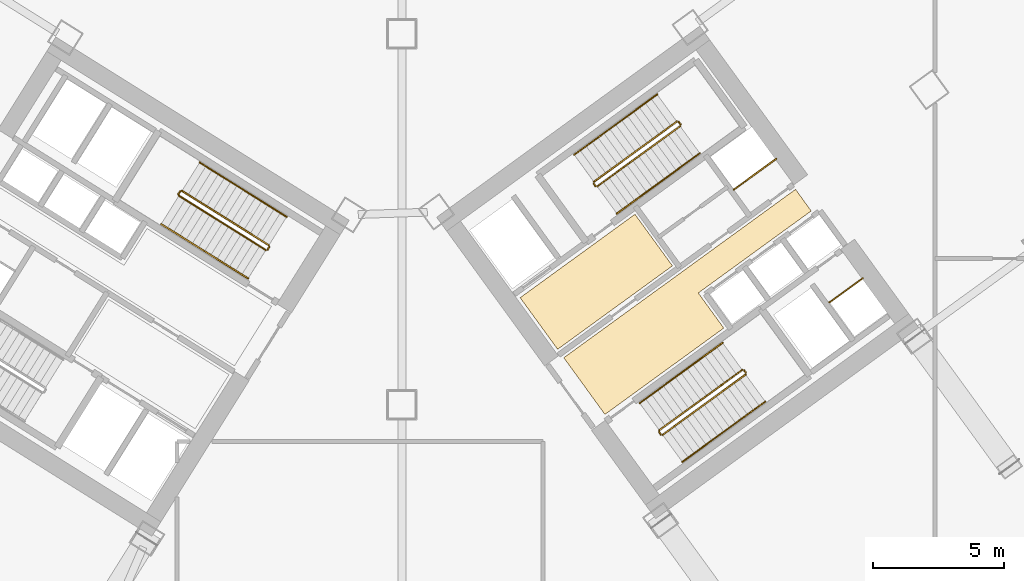
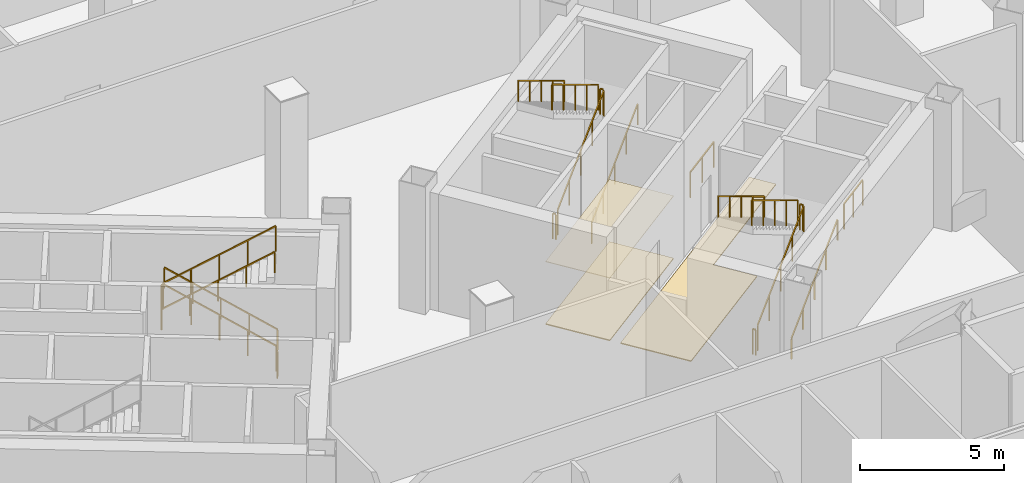
# One storey, part 22 of 23: 26 railings, 3 coverings.
"""IFC4 building model written with IfcOpenShell, lengths in metres."""

from ifc_helpers import new_model, si_unit, direction, frame, origin, origin_2d, place, context, subcontext, project, spatial, polyline, rectangle, outline, extrude, source, transform, mapped, material, layer, layer_set, type_object, element, save


model = new_model("IFC4")

# Units and contexts
model_context = context("Model", 3, precision=1e-05, world=origin(), true_north=direction((0.0, 1.0)))
body_context = subcontext(model_context, "Body", "Model", "MODEL_VIEW")
ifc_project = project(units=[si_unit("LENGTHUNIT", "METRE"), si_unit("AREAUNIT", "SQUARE_METRE"), si_unit("VOLUMEUNIT", "CUBIC_METRE"), si_unit("PLANEANGLEUNIT", "RADIAN"), si_unit("MASSUNIT", "GRAM", prefix="KILO")], contexts=[model_context])

# Site, building, storey
site_placement = place(None, origin())
site = spatial("IfcSite", under=ifc_project, at=site_placement, CompositionType="ELEMENT")
building_placement = place(site_placement, origin())
building = spatial("IfcBuilding", under=site, at=building_placement, Name="Tlacorven Tower", CompositionType="ELEMENT")
storey_placement = place(building_placement, frame((0.0, 0.0, 18.60009765625)))
storey = spatial("IfcBuildingStorey", under=building, at=storey_placement, Name="L04", CompositionType="ELEMENT", Elevation=18.60009765625)

# Coverings
ifc_material_1 = material(Name="Acoustic mineral-fibre ceiling")
ifc_layer_1 = layer(ifc_material_1, 0.02490234375)
ifc_layer_set_1 = layer_set([ifc_layer_1], Name="Acoustic mineral-fibre ceiling")
covering_type_1 = type_object("IfcCoveringType", Name="CV-CLG-ACST", PredefinedType="CEILING", material=ifc_layer_set_1)
covering_1_placement = place(storey_placement, frame((0.0, 0.0, 2.64990234375)))
element("IfcCovering", 1, at=covering_1_placement, inside=storey, type_object=covering_type_1, Name="L04 Acoustic Suspended Ceiling 3", PredefinedType="CEILING", context=body_context, shape_type="SweptSolid", body=[
    extrude(outline(polyline([(48.760498046875, 19.326171875), (47.326171875, 21.300048828125), (51.71923828125, 24.49169921875), (53.1533203125, 22.517822265625), (48.760498046875, 19.326171875)])), origin(), (0.0, 0.0, 1.0), 0.02490234375),
])
ifc_material_2 = material(Name="Terrazzo and ceramic flooring")
ifc_layer_2 = layer(ifc_material_2, 0.0400390625)
ifc_layer_set_2 = layer_set([ifc_layer_2], Name="Terrazzo and ceramic flooring")
covering_type_2 = type_object("IfcCoveringType", Name="CV-FLR-TERZ", PredefinedType="FLOORING", material=ifc_layer_set_2)
covering_2_placement = place(storey_placement, origin())
element("IfcCovering", 2, at=covering_2_placement, inside=storey, type_object=covering_type_2, Name="L04 Terrazzo Floor Finish 3", PredefinedType="FLOORING", context=body_context, shape_type="SweptSolid", body=[
    extrude(outline(polyline([(48.760498046875, 19.326171875), (47.326171875, 21.300048828125), (51.71923828125, 24.49169921875), (53.1533203125, 22.517822265625), (48.760498046875, 19.326171875)])), origin(), (0.0, 0.0, 1.0), 0.039794921875),
])
covering_3_placement = place(storey_placement, origin())
element("IfcCovering", 3, at=covering_3_placement, inside=storey, type_object=covering_type_2, Name="L04 Terrazzo Floor Finish 4", PredefinedType="FLOORING", context=body_context, shape_type="SweptSolid", body=[
    extrude(outline(polyline([(50.57080078125, 16.834228515625), (48.99560546875, 19.00244140625), (57.8623046875, 25.444580078125), (58.4619140625, 24.619384765625), (54.141845703125, 21.480712890625), (55.117431640625, 20.1376953125), (50.57080078125, 16.834228515625)])), origin(), (0.0, 0.0, 1.0), 0.039794921875),
])

# Railings
ifc_material_3 = material(Name="Aluminium and painted steel balustrade", Category="steel")
railing_type_1 = type_object("IfcRailingType", Name="RL-GRD-1100", PredefinedType="GUARDRAIL", material=ifc_material_3)
shared_shape_1 = source(origin(), body_context, "Body", "SweptSolid", [
    extrude(rectangle(XDim=0.048095703125, YDim=0.048095703125, at=origin_2d()), frame((0.0, 0.0, 1.076171875), z_axis=(0.808947177504, 0.587881334972, 0.0), x_axis=(-0.587881334972, 0.808947177504, 0.0)), (0.0, 0.0, 1.0), 2.0),
    extrude(rectangle(XDim=0.0419921875, YDim=0.0419921875, at=origin_2d()), origin(), (0.0, 0.0, 1.0), 1.052001953125),
    extrude(rectangle(XDim=0.0419921875, YDim=0.0419921875, at=origin_2d()), frame((0.80908203125, 0.587890625, 0.0)), (0.0, 0.0, 1.0), 1.052001953125),
    extrude(rectangle(XDim=0.0419921875, YDim=0.0419921875, at=origin_2d()), frame((1.617919921875, 1.17578125, 0.0)), (0.0, 0.0, 1.0), 1.052001953125),
])
railing_1_placement = place(storey_placement, frame((55.506103515625, 25.438232421875, 0.0)))
element("IfcRailing", 4, at=railing_1_placement, inside=storey, type_object=railing_type_1, Name="L04 Electrical Riser E Shaft Guard 1", PredefinedType="GUARDRAIL", context=body_context, shape_type="MappedRepresentation", body=[
    mapped(shared_shape_1, transform((0.0, 0.0, 0.0), scale=1.0)),
])
shared_shape_2 = source(origin(), body_context, "Body", "SweptSolid", [
    extrude(rectangle(XDim=0.048095703125, YDim=0.048095703125, at=origin_2d()), frame((0.0, 0.0, 1.076171875), z_axis=(0.809029975545, 0.58776738483, 0.0), x_axis=(-0.58776738483, 0.809029975545, 0.0)), (0.0, 0.0, 1.0), 1.580078125),
    extrude(rectangle(XDim=0.0419921875, YDim=0.0419921875, at=origin_2d()), origin(), (0.0, 0.0, 1.0), 1.052001953125),
    extrude(rectangle(XDim=0.0419921875, YDim=0.0419921875, at=origin_2d()), frame((0.63916015625, 0.46435546875, 0.0)), (0.0, 0.0, 1.0), 1.052001953125),
    extrude(rectangle(XDim=0.0419921875, YDim=0.0419921875, at=origin_2d()), frame((1.2783203125, 0.9287109375, 0.0)), (0.0, 0.0, 1.0), 1.052001953125),
])
railing_2_placement = place(storey_placement, frame((59.160888671875, 21.122314453125, 0.0)))
element("IfcRailing", 5, at=railing_2_placement, inside=storey, type_object=railing_type_1, Name="L04 Smoke Riser E Shaft Guard 1", PredefinedType="GUARDRAIL", context=body_context, shape_type="MappedRepresentation", body=[
    mapped(shared_shape_2, transform((0.0, 0.0, 0.0), scale=1.0)),
])
railing_type_2 = type_object("IfcRailingType", Name="RL-HND-0900", PredefinedType="HANDRAIL", material=ifc_material_3)
shared_shape_3 = source(origin(), body_context, "Body", "SweptSolid", [
    extrude(rectangle(XDim=0.048095703125, YDim=0.048095703125, at=origin_2d()), frame((0.0, 0.0, 0.8759765625), z_axis=(0.713353726602, -0.445741297439, 0.540778287749), x_axis=(0.52990936055, 0.848054284584, 0.0)), (0.0, 0.0, 1.0), 2.330078125),
    extrude(rectangle(XDim=0.0419921875, YDim=0.0419921875, at=origin_2d()), origin(), (0.0, 0.0, 1.0), 0.851806640625),
    extrude(rectangle(XDim=0.0419921875, YDim=0.0419921875, at=origin_2d()), frame((0.8310546875, -0.519287109375, 0.6298828125)), (0.0, 0.0, 1.0), 0.851806640625),
    extrude(rectangle(XDim=0.0419921875, YDim=0.0419921875, at=origin_2d()), frame((1.662109375, -1.03857421875, 1.260009765625)), (0.0, 0.0, 1.0), 0.851806640625),
])
railing_3_placement = place(storey_placement, frame((33.593017578125, 24.11474609375, 2.8798828125)))
element("IfcRailing", 6, at=railing_3_placement, inside=storey, type_object=railing_type_2, Name="L04 ST-W2 stair handrail 3", PredefinedType="HANDRAIL", context=body_context, shape_type="MappedRepresentation", body=[
    mapped(shared_shape_3, transform((0.0, 0.0, 0.0), scale=1.0)),
])
shared_shape_4 = source(origin(), body_context, "Body", "SweptSolid", [
    extrude(rectangle(XDim=0.048095703125, YDim=0.048095703125, at=origin_2d()), frame((0.0, 0.0, 1.076171875), z_axis=(-0.530546985787, -0.847655529016, 0.0), x_axis=(0.847655529016, -0.530546985787, 0.0)), (0.0, 0.0, 1.0), 0.1201171875),
    extrude(rectangle(XDim=0.0419921875, YDim=0.0419921875, at=origin_2d()), origin(), (0.0, 0.0, 1.0), 1.052001953125),
    extrude(rectangle(XDim=0.0419921875, YDim=0.0419921875, at=origin_2d()), frame((-0.063720703125, -0.101806640625, 0.0)), (0.0, 0.0, 1.0), 1.052001953125),
])
for number, where, name in (
    (7, (34.319091796875, 25.370849609375, 2.699951171875), "L04 ST-W2 stair guard 2"),
    (8, (37.728271484375, 23.24072265625, 0.0), "L04 ST-W2 stair guard 4"),
):
    element("IfcRailing", number, at=place(storey_placement, frame(where)), inside=storey, type_object=railing_type_1, Name=name, PredefinedType="GUARDRAIL", context=body_context, shape_type="MappedRepresentation", body=[
        mapped(shared_shape_4, transform((0.0, 0.0, 0.0), scale=1.0)),
    ])
shared_shape_5 = source(origin(), body_context, "Body", "SweptSolid", [
    extrude(rectangle(XDim=0.048095703125, YDim=0.048095703125, at=origin_2d()), frame((0.0, 0.0, 1.076171875), z_axis=(-0.713353726602, 0.445741297439, 0.540778287749), x_axis=(-0.52990936055, -0.848054284584, 0.0)), (0.0, 0.0, 1.0), 4.659912109375),
    extrude(rectangle(XDim=0.0419921875, YDim=0.0419921875, at=origin_2d()), origin(), (0.0, 0.0, 1.0), 1.052001953125),
    extrude(rectangle(XDim=0.0419921875, YDim=0.0419921875, at=origin_2d()), frame((-0.8310546875, 0.519287109375, 0.6298828125)), (0.0, 0.0, 1.0), 1.052001953125),
    extrude(rectangle(XDim=0.0419921875, YDim=0.0419921875, at=origin_2d()), frame((-1.662109375, 1.03857421875, 1.260009765625)), (0.0, 0.0, 1.0), 1.052001953125),
    extrude(rectangle(XDim=0.0419921875, YDim=0.0419921875, at=origin_2d()), frame((-2.4931640625, 1.557861328125, 1.89013671875)), (0.0, 0.0, 1.0), 1.052001953125),
    extrude(rectangle(XDim=0.0419921875, YDim=0.0419921875, at=origin_2d()), frame((-3.32421875, 2.0771484375, 2.52001953125)), (0.0, 0.0, 1.0), 1.052001953125),
])
railing_4_placement = place(storey_placement, frame((37.712158203125, 23.3095703125, 0.179931640625)))
element("IfcRailing", 9, at=railing_4_placement, inside=storey, type_object=railing_type_1, Name="L04 ST-W2 stair guard 1", PredefinedType="GUARDRAIL", context=body_context, shape_type="MappedRepresentation", body=[
    mapped(shared_shape_5, transform((0.0, 0.0, 0.0), scale=1.0)),
])
shared_shape_6 = source(origin(), body_context, "Body", "SweptSolid", [
    extrude(rectangle(XDim=0.048095703125, YDim=0.048095703125, at=origin_2d()), frame((0.0, 0.0, 1.076171875), z_axis=(0.713379455689, -0.445724638981, 0.540758077523), x_axis=(0.529881371968, 0.848071772695, 0.0)), (0.0, 0.0, 1.0), 4.66015625),
    extrude(rectangle(XDim=0.0419921875, YDim=0.0419921875, at=origin_2d()), origin(), (0.0, 0.0, 1.0), 1.052001953125),
    extrude(rectangle(XDim=0.0419921875, YDim=0.0419921875, at=origin_2d()), frame((0.8310546875, -0.519287109375, 0.6298828125)), (0.0, 0.0, 1.0), 1.052001953125),
    extrude(rectangle(XDim=0.0419921875, YDim=0.0419921875, at=origin_2d()), frame((1.662109375, -1.03857421875, 1.260009765625)), (0.0, 0.0, 1.0), 1.052001953125),
    extrude(rectangle(XDim=0.0419921875, YDim=0.0419921875, at=origin_2d()), frame((2.493408203125, -1.557861328125, 1.89013671875)), (0.0, 0.0, 1.0), 1.052001953125),
    extrude(rectangle(XDim=0.0419921875, YDim=0.0419921875, at=origin_2d()), frame((3.324462890625, -2.0771484375, 2.52001953125)), (0.0, 0.0, 1.0), 1.052001953125),
])
railing_5_placement = place(storey_placement, frame((34.271240234375, 25.2001953125, 2.8798828125)))
element("IfcRailing", 10, at=railing_5_placement, inside=storey, type_object=railing_type_1, Name="L04 ST-W2 stair guard 3", PredefinedType="GUARDRAIL", context=body_context, shape_type="MappedRepresentation", body=[
    mapped(shared_shape_6, transform((0.0, 0.0, 0.0), scale=1.0)),
])
shared_shape_7 = source(origin(), body_context, "Body", "SweptSolid", [
    extrude(rectangle(XDim=0.048095703125, YDim=0.048095703125, at=origin_2d()), frame((0.0, 0.0, 0.8759765625), z_axis=(-0.713405181892, 0.445707981167, 0.540737868078), x_axis=(-0.529853385765, -0.848089258034, 0.0)), (0.0, 0.0, 1.0), 2.330078125),
    extrude(rectangle(XDim=0.0419921875, YDim=0.0419921875, at=origin_2d()), origin(), (0.0, 0.0, 1.0), 0.851806640625),
    extrude(rectangle(XDim=0.0419921875, YDim=0.0419921875, at=origin_2d()), frame((-0.8310546875, 0.519287109375, 0.6298828125)), (0.0, 0.0, 1.0), 0.851806640625),
    extrude(rectangle(XDim=0.0419921875, YDim=0.0419921875, at=origin_2d()), frame((-1.662353515625, 1.03857421875, 1.260009765625)), (0.0, 0.0, 1.0), 0.851806640625),
])
railing_6_placement = place(storey_placement, frame((38.390625, 24.39501953125, 0.179931640625)))
element("IfcRailing", 11, at=railing_6_placement, inside=storey, type_object=railing_type_2, Name="L04 ST-W2 stair handrail 1", PredefinedType="HANDRAIL", context=body_context, shape_type="MappedRepresentation", body=[
    mapped(shared_shape_7, transform((0.0, 0.0, 0.0), scale=1.0)),
])
shared_shape_8 = source(origin(), body_context, "Body", "SweptSolid", [
    extrude(rectangle(XDim=0.048095703125, YDim=0.048095703125, at=origin_2d()), frame((0.0, 0.0, 0.8759765625), z_axis=(-0.71332040746, 0.445825254663, 0.540753029216), x_axis=(-0.529998940003, -0.847998304005, 0.0)), (0.0, 0.0, 1.0), 2.330078125),
    extrude(rectangle(XDim=0.0419921875, YDim=0.0419921875, at=origin_2d()), origin(), (0.0, 0.0, 1.0), 0.851806640625),
    extrude(rectangle(XDim=0.0419921875, YDim=0.0419921875, at=origin_2d()), frame((-0.8310546875, 0.51953125, 0.6298828125)), (0.0, 0.0, 1.0), 0.851806640625),
    extrude(rectangle(XDim=0.0419921875, YDim=0.0419921875, at=origin_2d()), frame((-1.662109375, 1.038818359375, 1.260009765625)), (0.0, 0.0, 1.0), 0.851806640625),
])
railing_7_placement = place(storey_placement, frame((36.728271484375, 25.43359375, 1.43994140625)))
element("IfcRailing", 12, at=railing_7_placement, inside=storey, type_object=railing_type_2, Name="L04 ST-W2 stair handrail 2", PredefinedType="HANDRAIL", context=body_context, shape_type="MappedRepresentation", body=[
    mapped(shared_shape_8, transform((0.0, 0.0, 0.0), scale=1.0)),
])
shared_shape_9 = source(origin(), body_context, "Body", "SweptSolid", [
    extrude(rectangle(XDim=0.048095703125, YDim=0.048095703125, at=origin_2d()), frame((0.0, 0.0, 0.8759765625), z_axis=(0.713371865327, -0.445791935228, 0.540712615208), x_axis=(0.529942963146, 0.848033286971, 0.0)), (0.0, 0.0, 1.0), 2.330322265625),
    extrude(rectangle(XDim=0.0419921875, YDim=0.0419921875, at=origin_2d()), origin(), (0.0, 0.0, 1.0), 0.851806640625),
    extrude(rectangle(XDim=0.0419921875, YDim=0.0419921875, at=origin_2d()), frame((0.8310546875, -0.51953125, 0.6298828125)), (0.0, 0.0, 1.0), 0.851806640625),
    extrude(rectangle(XDim=0.0419921875, YDim=0.0419921875, at=origin_2d()), frame((1.662353515625, -1.038818359375, 1.260009765625)), (0.0, 0.0, 1.0), 0.851806640625),
])
railing_8_placement = place(storey_placement, frame((35.255126953125, 23.076171875, 4.139892578125)))
element("IfcRailing", 13, at=railing_8_placement, inside=storey, type_object=railing_type_2, Name="L04 ST-W2 stair handrail 4", PredefinedType="HANDRAIL", context=body_context, shape_type="MappedRepresentation", body=[
    mapped(shared_shape_9, transform((0.0, 0.0, 0.0), scale=1.0)),
])
shared_shape_10 = source(origin(), body_context, "Body", "SweptSolid", [
    extrude(rectangle(XDim=0.048095703125, YDim=0.048095703125, at=origin_2d()), frame((0.0, 0.0, 1.076171875), z_axis=(-0.587567097037, 0.809175448515, 0.0), x_axis=(-0.809175448515, -0.587567097037, 0.0)), (0.0, 0.0, 1.0), 0.1201171875),
    extrude(rectangle(XDim=0.0419921875, YDim=0.0419921875, at=origin_2d()), origin(), (0.0, 0.0, 1.0), 1.052001953125),
    extrude(rectangle(XDim=0.0419921875, YDim=0.0419921875, at=origin_2d()), frame((-0.070556640625, 0.09716796875, 0.0)), (0.0, 0.0, 1.0), 1.052001953125),
])
for number, where, name in (
    (14, (53.459716796875, 27.931640625, 2.699951171875), "L04 ST-E1 stair guard 2"),
    (15, (52.71142578125, 16.065673828125, 0.0), "L04 ST-E2 stair guard 4"),
):
    element("IfcRailing", number, at=place(storey_placement, frame(where)), inside=storey, type_object=railing_type_1, Name=name, PredefinedType="GUARDRAIL", context=body_context, shape_type="MappedRepresentation", body=[
        mapped(shared_shape_10, transform((0.0, 0.0, 0.0), scale=1.0)),
    ])
shared_shape_11 = source(origin(), body_context, "Body", "SweptSolid", [
    extrude(rectangle(XDim=0.048095703125, YDim=0.048095703125, at=origin_2d()), frame((0.0, 0.0, 1.076171875), z_axis=(-0.587201422542, 0.809440849824, 0.0), x_axis=(-0.809440849824, -0.587201422542, 0.0)), (0.0, 0.0, 1.0), 0.11962890625),
    extrude(rectangle(XDim=0.0419921875, YDim=0.0419921875, at=origin_2d()), origin(), (0.0, 0.0, 1.0), 1.052001953125),
    extrude(rectangle(XDim=0.0419921875, YDim=0.0419921875, at=origin_2d()), frame((-0.0703125, 0.096923828125, 0.0)), (0.0, 0.0, 1.0), 1.052001953125),
])
railing_9_placement = place(storey_placement, frame((50.207275390625, 25.56884765625, 0.0)))
element("IfcRailing", 16, at=railing_9_placement, inside=storey, type_object=railing_type_1, Name="L04 ST-E1 stair guard 4", PredefinedType="GUARDRAIL", context=body_context, shape_type="MappedRepresentation", body=[
    mapped(shared_shape_11, transform((0.0, 0.0, 0.0), scale=1.0)),
])
shared_shape_12 = source(origin(), body_context, "Body", "SweptSolid", [
    extrude(rectangle(XDim=0.048095703125, YDim=0.048095703125, at=origin_2d()), frame((0.0, 0.0, 1.076171875), z_axis=(0.680514408703, 0.494419468391, 0.540786028688), x_axis=(-0.587782769792, 0.809018798011, 0.0)), (0.0, 0.0, 1.0), 4.659912109375),
    extrude(rectangle(XDim=0.0419921875, YDim=0.0419921875, at=origin_2d()), origin(), (0.0, 0.0, 1.0), 1.052001953125),
    extrude(rectangle(XDim=0.0419921875, YDim=0.0419921875, at=origin_2d()), frame((0.792724609375, 0.575927734375, 0.6298828125)), (0.0, 0.0, 1.0), 1.052001953125),
    extrude(rectangle(XDim=0.0419921875, YDim=0.0419921875, at=origin_2d()), frame((1.58544921875, 1.15185546875, 1.260009765625)), (0.0, 0.0, 1.0), 1.052001953125),
    extrude(rectangle(XDim=0.0419921875, YDim=0.0419921875, at=origin_2d()), frame((2.37841796875, 1.72802734375, 1.89013671875)), (0.0, 0.0, 1.0), 1.052001953125),
    extrude(rectangle(XDim=0.0419921875, YDim=0.0419921875, at=origin_2d()), frame((3.171142578125, 2.303955078125, 2.52001953125)), (0.0, 0.0, 1.0), 1.052001953125),
])
railing_10_placement = place(storey_placement, frame((50.27734375, 25.557861328125, 0.179931640625)))
element("IfcRailing", 17, at=railing_10_placement, inside=storey, type_object=railing_type_1, Name="L04 ST-E1 stair guard 1", PredefinedType="GUARDRAIL", context=body_context, shape_type="MappedRepresentation", body=[
    mapped(shared_shape_12, transform((0.0, 0.0, 0.0), scale=1.0)),
])
shared_shape_13 = source(origin(), body_context, "Body", "SweptSolid", [
    extrude(rectangle(XDim=0.048095703125, YDim=0.048095703125, at=origin_2d()), frame((0.0, 0.0, 1.076171875), z_axis=(-0.680542536252, -0.494401841002, 0.540766748206), x_axis=(0.587753152711, -0.809040315113, 0.0)), (0.0, 0.0, 1.0), 4.66015625),
    extrude(rectangle(XDim=0.0419921875, YDim=0.0419921875, at=origin_2d()), origin(), (0.0, 0.0, 1.0), 1.052001953125),
    extrude(rectangle(XDim=0.0419921875, YDim=0.0419921875, at=origin_2d()), frame((-0.79296875, -0.575927734375, 0.6298828125)), (0.0, 0.0, 1.0), 1.052001953125),
    extrude(rectangle(XDim=0.0419921875, YDim=0.0419921875, at=origin_2d()), frame((-1.585693359375, -1.15185546875, 1.260009765625)), (0.0, 0.0, 1.0), 1.052001953125),
    extrude(rectangle(XDim=0.0419921875, YDim=0.0419921875, at=origin_2d()), frame((-2.37841796875, -1.72802734375, 1.89013671875)), (0.0, 0.0, 1.0), 1.052001953125),
    extrude(rectangle(XDim=0.0419921875, YDim=0.0419921875, at=origin_2d()), frame((-3.17138671875, -2.303955078125, 2.52001953125)), (0.0, 0.0, 1.0), 1.052001953125),
])
for number, where, name in (
    (18, (53.3193359375, 28.039794921875, 2.8798828125), "L04 ST-E1 stair guard 3"),
    (19, (55.8232421875, 18.53662109375, 2.8798828125), "L04 ST-E2 stair guard 3"),
):
    element("IfcRailing", number, at=place(storey_placement, frame(where)), inside=storey, type_object=railing_type_1, Name=name, PredefinedType="GUARDRAIL", context=body_context, shape_type="MappedRepresentation", body=[
        mapped(shared_shape_13, transform((0.0, 0.0, 0.0), scale=1.0)),
    ])
shared_shape_14 = source(origin(), body_context, "Body", "SweptSolid", [
    extrude(rectangle(XDim=0.048095703125, YDim=0.048095703125, at=origin_2d()), frame((0.0, 0.0, 0.8759765625), z_axis=(0.680524908878, 0.494441423402, 0.540752741297), x_axis=(-0.587793916777, 0.809010699188, 0.0)), (0.0, 0.0, 1.0), 2.330078125),
    extrude(rectangle(XDim=0.0419921875, YDim=0.0419921875, at=origin_2d()), origin(), (0.0, 0.0, 1.0), 0.851806640625),
    extrude(rectangle(XDim=0.0419921875, YDim=0.0419921875, at=origin_2d()), frame((0.79296875, 0.576171875, 0.6298828125)), (0.0, 0.0, 1.0), 0.851806640625),
    extrude(rectangle(XDim=0.0419921875, YDim=0.0419921875, at=origin_2d()), frame((1.585693359375, 1.152099609375, 1.260009765625)), (0.0, 0.0, 1.0), 0.851806640625),
])
for number, where, name in (
    (20, (51.029541015625, 24.522216796875, 0.179931640625), "L04 ST-E1 stair handrail 1"),
    (21, (52.615234375, 25.67431640625, 1.43994140625), "L04 ST-E1 stair handrail 2"),
    (22, (53.53369140625, 15.01904296875, 0.179931640625), "L04 ST-E2 stair handrail 1"),
):
    element("IfcRailing", number, at=place(storey_placement, frame(where)), inside=storey, type_object=railing_type_2, Name=name, PredefinedType="HANDRAIL", context=body_context, shape_type="MappedRepresentation", body=[
        mapped(shared_shape_14, transform((0.0, 0.0, 0.0), scale=1.0)),
    ])
shared_shape_15 = source(origin(), body_context, "Body", "SweptSolid", [
    extrude(rectangle(XDim=0.048095703125, YDim=0.048095703125, at=origin_2d()), frame((0.0, 0.0, 0.8759765625), z_axis=(-0.680524908878, -0.494441423402, 0.540752741297), x_axis=(0.587793916777, -0.809010699188, 0.0)), (0.0, 0.0, 1.0), 2.330078125),
    extrude(rectangle(XDim=0.0419921875, YDim=0.0419921875, at=origin_2d()), origin(), (0.0, 0.0, 1.0), 0.851806640625),
    extrude(rectangle(XDim=0.0419921875, YDim=0.0419921875, at=origin_2d()), frame((-0.79296875, -0.576171875, 0.6298828125)), (0.0, 0.0, 1.0), 0.851806640625),
    extrude(rectangle(XDim=0.0419921875, YDim=0.0419921875, at=origin_2d()), frame((-1.585693359375, -1.152099609375, 1.260009765625)), (0.0, 0.0, 1.0), 0.851806640625),
])
for number, where, name in (
    (23, (52.56689453125, 29.075439453125, 2.8798828125), "L04 ST-E1 stair handrail 3"),
    (24, (50.981201171875, 27.92333984375, 4.139892578125), "L04 ST-E1 stair handrail 4"),
    (25, (53.4853515625, 18.420166015625, 4.139892578125), "L04 ST-E2 stair handrail 4"),
):
    element("IfcRailing", number, at=place(storey_placement, frame(where)), inside=storey, type_object=railing_type_2, Name=name, PredefinedType="HANDRAIL", context=body_context, shape_type="MappedRepresentation", body=[
        mapped(shared_shape_15, transform((0.0, 0.0, 0.0), scale=1.0)),
    ])
shared_shape_16 = source(origin(), body_context, "Body", "SweptSolid", [
    extrude(rectangle(XDim=0.048095703125, YDim=0.048095703125, at=origin_2d()), frame((0.0, 0.0, 1.076171875), z_axis=(0.680542536252, 0.494401841002, 0.540766748206), x_axis=(-0.587753152711, 0.809040315113, 0.0)), (0.0, 0.0, 1.0), 4.66015625),
    extrude(rectangle(XDim=0.0419921875, YDim=0.0419921875, at=origin_2d()), origin(), (0.0, 0.0, 1.0), 1.052001953125),
    extrude(rectangle(XDim=0.0419921875, YDim=0.0419921875, at=origin_2d()), frame((0.79296875, 0.575927734375, 0.6298828125)), (0.0, 0.0, 1.0), 1.052001953125),
    extrude(rectangle(XDim=0.0419921875, YDim=0.0419921875, at=origin_2d()), frame((1.585693359375, 1.15185546875, 1.260009765625)), (0.0, 0.0, 1.0), 1.052001953125),
    extrude(rectangle(XDim=0.0419921875, YDim=0.0419921875, at=origin_2d()), frame((2.37841796875, 1.72802734375, 1.89013671875)), (0.0, 0.0, 1.0), 1.052001953125),
    extrude(rectangle(XDim=0.0419921875, YDim=0.0419921875, at=origin_2d()), frame((3.17138671875, 2.303955078125, 2.52001953125)), (0.0, 0.0, 1.0), 1.052001953125),
])
railing_11_placement = place(storey_placement, frame((52.78125, 16.0546875, 0.179931640625)))
element("IfcRailing", 26, at=railing_11_placement, inside=storey, type_object=railing_type_1, Name="L04 ST-E2 stair guard 1", PredefinedType="GUARDRAIL", context=body_context, shape_type="MappedRepresentation", body=[
    mapped(shared_shape_16, transform((0.0, 0.0, 0.0), scale=1.0)),
])
shared_shape_17 = source(origin(), body_context, "Body", "SweptSolid", [
    extrude(rectangle(XDim=0.048095703125, YDim=0.048095703125, at=origin_2d()), frame((0.0, 0.0, 1.076171875), z_axis=(-0.588534897514, 0.808471814232, 0.0), x_axis=(-0.808471814232, -0.588534897514, 0.0)), (0.0, 0.0, 1.0), 0.119873046875),
    extrude(rectangle(XDim=0.0419921875, YDim=0.0419921875, at=origin_2d()), origin(), (0.0, 0.0, 1.0), 1.052001953125),
    extrude(rectangle(XDim=0.0419921875, YDim=0.0419921875, at=origin_2d()), frame((-0.070556640625, 0.096923828125, 0.0)), (0.0, 0.0, 1.0), 1.052001953125),
])
railing_12_placement = place(storey_placement, frame((55.963623046875, 18.4287109375, 2.699951171875)))
element("IfcRailing", 27, at=railing_12_placement, inside=storey, type_object=railing_type_1, Name="L04 ST-E2 stair guard 2", PredefinedType="GUARDRAIL", context=body_context, shape_type="MappedRepresentation", body=[
    mapped(shared_shape_17, transform((0.0, 0.0, 0.0), scale=1.0)),
])
shared_shape_18 = source(origin(), body_context, "Body", "SweptSolid", [
    extrude(rectangle(XDim=0.048095703125, YDim=0.048095703125, at=origin_2d()), frame((0.0, 0.0, 0.8759765625), z_axis=(0.680468649714, 0.494476679704, 0.540791299842), x_axis=(-0.587853152907, 0.808967657337, 0.0)), (0.0, 0.0, 1.0), 2.329833984375),
    extrude(rectangle(XDim=0.0419921875, YDim=0.0419921875, at=origin_2d()), origin(), (0.0, 0.0, 1.0), 0.851806640625),
    extrude(rectangle(XDim=0.0419921875, YDim=0.0419921875, at=origin_2d()), frame((0.792724609375, 0.576171875, 0.6298828125)), (0.0, 0.0, 1.0), 0.851806640625),
    extrude(rectangle(XDim=0.0419921875, YDim=0.0419921875, at=origin_2d()), frame((1.58544921875, 1.152099609375, 1.260009765625)), (0.0, 0.0, 1.0), 0.851806640625),
])
railing_13_placement = place(storey_placement, frame((55.119384765625, 16.171142578125, 1.43994140625)))
element("IfcRailing", 28, at=railing_13_placement, inside=storey, type_object=railing_type_2, Name="L04 ST-E2 stair handrail 2", PredefinedType="HANDRAIL", context=body_context, shape_type="MappedRepresentation", body=[
    mapped(shared_shape_18, transform((0.0, 0.0, 0.0), scale=1.0)),
])
shared_shape_19 = source(origin(), body_context, "Body", "SweptSolid", [
    extrude(rectangle(XDim=0.048095703125, YDim=0.048095703125, at=origin_2d()), frame((0.0, 0.0, 0.8759765625), z_axis=(-0.680468649714, -0.494476679704, 0.540791299842), x_axis=(0.587853152907, -0.808967657337, 0.0)), (0.0, 0.0, 1.0), 2.329833984375),
    extrude(rectangle(XDim=0.0419921875, YDim=0.0419921875, at=origin_2d()), origin(), (0.0, 0.0, 1.0), 0.851806640625),
    extrude(rectangle(XDim=0.0419921875, YDim=0.0419921875, at=origin_2d()), frame((-0.792724609375, -0.576171875, 0.6298828125)), (0.0, 0.0, 1.0), 0.851806640625),
    extrude(rectangle(XDim=0.0419921875, YDim=0.0419921875, at=origin_2d()), frame((-1.58544921875, -1.152099609375, 1.260009765625)), (0.0, 0.0, 1.0), 0.851806640625),
])
railing_14_placement = place(storey_placement, frame((55.07080078125, 19.572265625, 2.8798828125)))
element("IfcRailing", 29, at=railing_14_placement, inside=storey, type_object=railing_type_2, Name="L04 ST-E2 stair handrail 3", PredefinedType="HANDRAIL", context=body_context, shape_type="MappedRepresentation", body=[
    mapped(shared_shape_19, transform((0.0, 0.0, 0.0), scale=1.0)),
])

save(model, "model.ifc")
